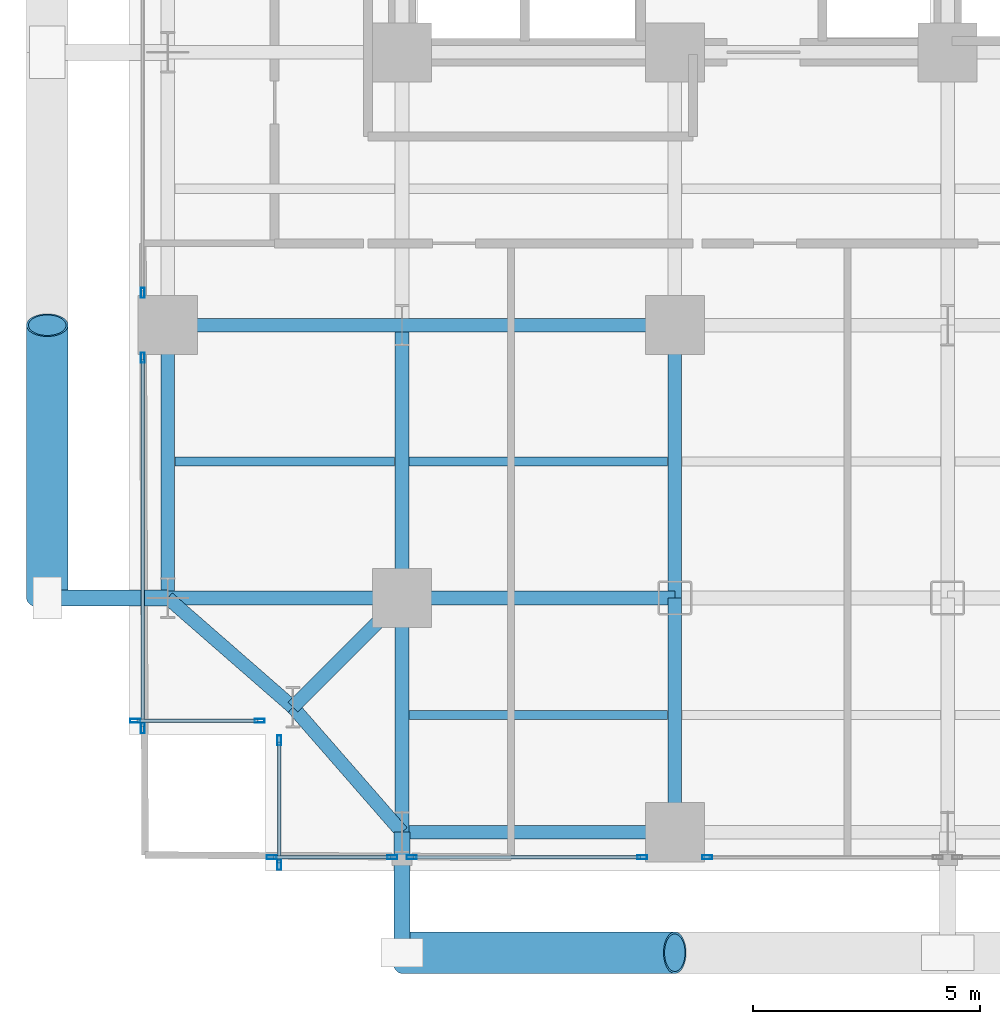
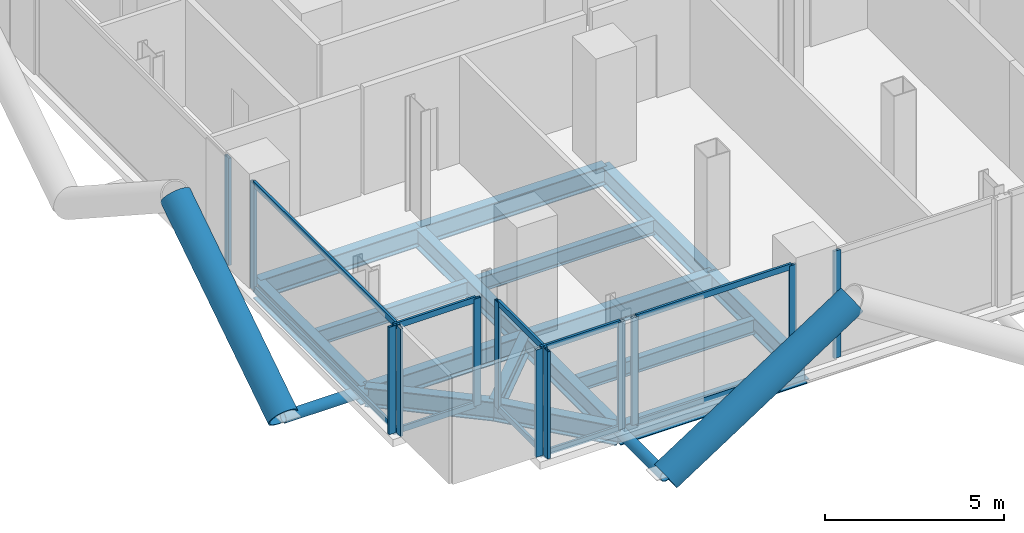
# One storey, part 2 of 27: 26 members, 16 beams, 7 elements without a shape of their own.
"""IFC4 building model written with IfcOpenShell, lengths in metres."""

from ifc_helpers import new_model, si_unit, direction, frame, origin, origin_2d, place, context, subcontext, project, spatial, hollow_rectangle, hollow_circle, i_section, extrude, material, layer, layer_set, material_profile, profile_set, type_object, element, aggregate, save


model = new_model("IFC4")

# Units and contexts
model_context = context("Model", 3, precision=1e-05, world=origin(), true_north=direction((0.0, 1.0)))
body_context = subcontext(model_context, "Body", "Model", "MODEL_VIEW")
ifc_project = project(units=[si_unit("LENGTHUNIT", "METRE"), si_unit("AREAUNIT", "SQUARE_METRE"), si_unit("VOLUMEUNIT", "CUBIC_METRE"), si_unit("PLANEANGLEUNIT", "RADIAN"), si_unit("MASSUNIT", "GRAM", prefix="KILO"), si_unit("THERMODYNAMICTEMPERATUREUNIT", "KELVIN"), si_unit("POWERUNIT", "WATT")], contexts=[model_context])

# Site, building, storey
site_placement = place(None, origin())
site = spatial("IfcSite", under=ifc_project, at=site_placement, CompositionType="ELEMENT")
building_placement = place(site_placement, origin())
building = spatial("IfcBuilding", under=site, at=building_placement, Name="Svarakhadi Broadcast Tower", CompositionType="ELEMENT")
storey_placement = place(building_placement, frame((0.0, 0.0, 55.800048828125)))
storey = spatial("IfcBuildingStorey", under=building, at=storey_placement, Name="L12", CompositionType="ELEMENT", Elevation=55.800048828125)

# Beams
ifc_material_1 = material(Name="Steel S355J2 (IS 2062 E350C)", Category="steel")
ifc_material_profile_1 = material_profile(ifc_material_1, i_section(OverallWidth=0.199951171875, OverallDepth=0.5, WebThickness=0.01025390625, FlangeThickness=0.01611328125, FilletRadius=0.02099609375, at=origin_2d()), Name="NPB 500x200x91")
ifc_profile_set_1 = profile_set([ifc_material_profile_1], Name="Steel S355J2 (IS 2062 E350C)")
beam_type_1 = type_object("IfcBeamType", Name="Beam_NPB500", PredefinedType="BEAM", material=ifc_profile_set_1)
beam_1_placement = place(storey_placement, frame((1.010009765625, 9.0, -0.5), z_axis=(1.0, 0.0, 0.0), x_axis=(0.0, 1.0, 0.0)))
element("IfcBeam", 1, at=beam_1_placement, inside=storey, type_object=beam_type_1, Name="L12 Secondary Composite Beam SB001", PredefinedType="BEAM", context=body_context, shape_type="SweptSolid", body=[
    extrude(i_section(OverallWidth=0.199951171875, OverallDepth=0.5, WebThickness=0.01025390625, FlangeThickness=0.01611328125, FilletRadius=0.02099609375, at=origin_2d()), origin(), (0.0, 0.0, 1.0), 4.830078125),
])
for number, where, z_axis, x_axis, name in (
    (2, (6.159912109375, 3.425048828125, -0.5), (1.0, 0.0, 0.0), (0.0, 1.0, 0.0), "L12 Secondary Composite Beam SB007"),
    (3, (6.159912109375, 9.0, -0.5), (1.0, 0.0, 0.0), (0.0, 1.0, 0.0), "L12 Secondary Composite Beam SB008"),
):
    element("IfcBeam", number, at=place(storey_placement, frame(where, z_axis=z_axis, x_axis=x_axis)), inside=storey, type_object=beam_type_1, Name=name, PredefinedType="BEAM", context=body_context, shape_type="SweptSolid", body=[
        extrude(i_section(OverallWidth=0.199951171875, OverallDepth=0.5, WebThickness=0.01025390625, FlangeThickness=0.01611328125, FilletRadius=0.02099609375, at=origin_2d()), origin(), (0.0, 0.0, 1.0), 5.68017578125),
    ])

# Curtain wall, members
ifc_material_2 = material(Name="Anodised Bronze Aluminium AA 6063-T6", Category="aluminium")
ifc_layer = layer(ifc_material_2, 0.219970703125)
ifc_layer_set = layer_set([ifc_layer], Name="Anodised Bronze Aluminium AA 6063-T6")
curtain_wall_type = type_object("IfcCurtainWallType", Name="CW_Sys_02", PredefinedType="NOTDEFINED", material=ifc_layer_set)
curtain_wall_1_placement = place(storey_placement, origin())
curtain_wall_1 = element("IfcCurtainWall", 4, at=curtain_wall_1_placement, inside=storey, type_object=curtain_wall_type, Name="L12 Unitised Facade Curtain Wall 01", PredefinedType="NOTDEFINED")
ifc_material_profile_2 = material_profile(ifc_material_2, hollow_rectangle(XDim=0.0849609375, YDim=0.219970703125, WallThickness=0.006103515625, at=origin_2d()), Name="ALU MULLION 220x85x6")
ifc_profile_set_2 = profile_set([ifc_material_profile_2], Name="Anodised Bronze Aluminium AA 6063-T6")
member_type_1 = type_object("IfcMemberType", Name="CW_Sys_02_Mul", PredefinedType="MULLION", material=ifc_profile_set_2)
member_1_placement = place(storey_placement, frame((2.867431640625, 3.300048828125, 0.0), z_axis=(0.0, 0.0, 1.0), x_axis=(0.0, -1.0, 0.0)))
member_1 = element("IfcMember", 5, at=member_1_placement, type_object=member_type_1, Name="CW-02 mullion 1", PredefinedType="MULLION", context=body_context, shape_type="SweptSolid", body=[
    extrude(hollow_rectangle(XDim=0.0849609375, YDim=0.219970703125, WallThickness=0.006103515625, at=origin_2d()), origin(), (0.0, 0.0, 1.0), 3.64990234375),
])
member_2_placement = place(storey_placement, frame((0.132568359375, 3.300048828125, 0.0), z_axis=(0.0, 0.0, 1.0), x_axis=(0.0, -1.0, 0.0)))
member_2 = element("IfcMember", 6, at=member_2_placement, type_object=member_type_1, Name="CW-02 mullion 2", PredefinedType="MULLION", context=body_context, shape_type="SweptSolid", body=[
    extrude(hollow_rectangle(XDim=0.0849609375, YDim=0.219970703125, WallThickness=0.006103515625, at=origin_2d()), origin(), (0.0, 0.0, 1.0), 3.64990234375),
])

curtain_wall_2_placement = place(storey_placement, origin())
curtain_wall_2 = element("IfcCurtainWall", 7, at=curtain_wall_2_placement, inside=storey, type_object=curtain_wall_type, Name="L12 West Curtain Wall 02 Bay 1", PredefinedType="NOTDEFINED")
member_3_placement = place(storey_placement, frame((0.300048828125, 3.132568359375, 0.0), z_axis=(0.0, 0.0, 1.0), x_axis=(-1.0, 0.0, 0.0)))
member_3 = element("IfcMember", 8, at=member_3_placement, type_object=member_type_1, Name="CW-02 mullion 1", PredefinedType="MULLION", context=body_context, shape_type="SweptSolid", body=[
    extrude(hollow_rectangle(XDim=0.0849609375, YDim=0.219970703125, WallThickness=0.006103515625, at=origin_2d()), origin(), (0.0, 0.0, 1.0), 3.64990234375),
])
member_4_placement = place(storey_placement, frame((0.300048828125, 11.28759765625, 0.0), z_axis=(0.0, 0.0, 1.0), x_axis=(-1.0, 0.0, 0.0)))
member_4 = element("IfcMember", 9, at=member_4_placement, type_object=member_type_1, Name="CW-02 mullion 2", PredefinedType="MULLION", context=body_context, shape_type="SweptSolid", body=[
    extrude(hollow_rectangle(XDim=0.0849609375, YDim=0.219970703125, WallThickness=0.006103515625, at=origin_2d()), origin(), (0.0, 0.0, 1.0), 3.64990234375),
])

# Curtain wall, member
curtain_wall_3_placement = place(storey_placement, origin())
curtain_wall_3 = element("IfcCurtainWall", 10, at=curtain_wall_3_placement, inside=storey, type_object=curtain_wall_type, Name="L12 West Curtain Wall 02 Bay 2", PredefinedType="NOTDEFINED")
member_5_placement = place(storey_placement, frame((0.300048828125, 12.71240234375, 0.0), z_axis=(0.0, 0.0, 1.0), x_axis=(-1.0, 0.0, 0.0)))
member_5 = element("IfcMember", 11, at=member_5_placement, type_object=member_type_1, Name="CW-02 mullion 1", PredefinedType="MULLION", context=body_context, shape_type="SweptSolid", body=[
    extrude(hollow_rectangle(XDim=0.0849609375, YDim=0.219970703125, WallThickness=0.006103515625, at=origin_2d()), origin(), (0.0, 0.0, 1.0), 3.64990234375),
])
aggregate(curtain_wall_3, [member_5])

curtain_wall_4_placement = place(storey_placement, origin())
curtain_wall_4 = element("IfcCurtainWall", 12, at=curtain_wall_4_placement, inside=storey, type_object=curtain_wall_type, Name="L12 South Curtain Wall 17 Bay 5", PredefinedType="NOTDEFINED")
member_6_placement = place(storey_placement, frame((12.71240234375, 0.300048828125, 0.0), z_axis=(0.0, 0.0, 1.0), x_axis=(0.0, -1.0, 0.0)))
member_6 = element("IfcMember", 13, at=member_6_placement, type_object=member_type_1, Name="CW-02 mullion 2", PredefinedType="MULLION", context=body_context, shape_type="SweptSolid", body=[
    extrude(hollow_rectangle(XDim=0.0849609375, YDim=0.219970703125, WallThickness=0.006103515625, at=origin_2d()), origin(), (0.0, 0.0, 1.0), 3.64990234375),
])
aggregate(curtain_wall_4, [member_6])

# Curtain wall, members
curtain_wall_5_placement = place(storey_placement, origin())
curtain_wall_5 = element("IfcCurtainWall", 14, at=curtain_wall_5_placement, inside=storey, type_object=curtain_wall_type, Name="L12 South Curtain Wall 17 Bay 6", PredefinedType="NOTDEFINED")
member_7_placement = place(storey_placement, frame((11.28759765625, 0.300048828125, 0.0), z_axis=(0.0, 0.0, 1.0), x_axis=(0.0, -1.0, 0.0)))
member_7 = element("IfcMember", 15, at=member_7_placement, type_object=member_type_1, Name="CW-02 mullion 1", PredefinedType="MULLION", context=body_context, shape_type="SweptSolid", body=[
    extrude(hollow_rectangle(XDim=0.0849609375, YDim=0.219970703125, WallThickness=0.006103515625, at=origin_2d()), origin(), (0.0, 0.0, 1.0), 3.64990234375),
])
member_8_placement = place(storey_placement, frame((6.21240234375, 0.300048828125, 0.0), z_axis=(0.0, 0.0, 1.0), x_axis=(0.0, -1.0, 0.0)))
member_8 = element("IfcMember", 16, at=member_8_placement, type_object=member_type_1, Name="CW-02 mullion 2", PredefinedType="MULLION", context=body_context, shape_type="SweptSolid", body=[
    extrude(hollow_rectangle(XDim=0.0849609375, YDim=0.219970703125, WallThickness=0.006103515625, at=origin_2d()), origin(), (0.0, 0.0, 1.0), 3.64990234375),
])

curtain_wall_6_placement = place(storey_placement, origin())
curtain_wall_6 = element("IfcCurtainWall", 17, at=curtain_wall_6_placement, inside=storey, type_object=curtain_wall_type, Name="L12 South Curtain Wall 17 Bay 7", PredefinedType="NOTDEFINED")
member_9_placement = place(storey_placement, frame((5.78759765625, 0.300048828125, 0.0), z_axis=(0.0, 0.0, 1.0), x_axis=(0.0, -1.0, 0.0)))
member_9 = element("IfcMember", 18, at=member_9_placement, type_object=member_type_1, Name="CW-02 mullion 1", PredefinedType="MULLION", context=body_context, shape_type="SweptSolid", body=[
    extrude(hollow_rectangle(XDim=0.0849609375, YDim=0.219970703125, WallThickness=0.006103515625, at=origin_2d()), origin(), (0.0, 0.0, 1.0), 3.64990234375),
])
member_10_placement = place(storey_placement, frame((3.132568359375, 0.300048828125, 0.0), z_axis=(0.0, 0.0, 1.0), x_axis=(0.0, -1.0, 0.0)))
member_10 = element("IfcMember", 19, at=member_10_placement, type_object=member_type_1, Name="CW-02 mullion 2", PredefinedType="MULLION", context=body_context, shape_type="SweptSolid", body=[
    extrude(hollow_rectangle(XDim=0.0849609375, YDim=0.219970703125, WallThickness=0.006103515625, at=origin_2d()), origin(), (0.0, 0.0, 1.0), 3.64990234375),
])

curtain_wall_7_placement = place(storey_placement, origin())
curtain_wall_7 = element("IfcCurtainWall", 20, at=curtain_wall_7_placement, inside=storey, type_object=curtain_wall_type, Name="L12 Unitised Facade Curtain Wall 18", PredefinedType="NOTDEFINED")
member_11_placement = place(storey_placement, frame((3.300048828125, 0.132568359375, 0.0), z_axis=(0.0, 0.0, 1.0), x_axis=(-1.0, 0.0, 0.0)))
member_11 = element("IfcMember", 21, at=member_11_placement, type_object=member_type_1, Name="CW-02 mullion 1", PredefinedType="MULLION", context=body_context, shape_type="SweptSolid", body=[
    extrude(hollow_rectangle(XDim=0.0849609375, YDim=0.219970703125, WallThickness=0.006103515625, at=origin_2d()), origin(), (0.0, 0.0, 1.0), 3.64990234375),
])
member_12_placement = place(storey_placement, frame((3.300048828125, 2.867431640625, 0.0), z_axis=(0.0, 0.0, 1.0), x_axis=(-1.0, 0.0, 0.0)))
member_12 = element("IfcMember", 22, at=member_12_placement, type_object=member_type_1, Name="CW-02 mullion 2", PredefinedType="MULLION", context=body_context, shape_type="SweptSolid", body=[
    extrude(hollow_rectangle(XDim=0.0849609375, YDim=0.219970703125, WallThickness=0.006103515625, at=origin_2d()), origin(), (0.0, 0.0, 1.0), 3.64990234375),
])

# Member
ifc_material_profile_3 = material_profile(ifc_material_2, hollow_rectangle(XDim=0.074951171875, YDim=0.199951171875, WallThickness=0.0048828125, at=origin_2d()), Name="ALU TRANSOM 200x75x5")
ifc_profile_set_3 = profile_set([ifc_material_profile_3], Name="Anodised Bronze Aluminium AA 6063-T6")
member_type_2 = type_object("IfcMemberType", Name="CW_Sys_02_Trn", PredefinedType="USERDEFINED", material=ifc_profile_set_3)
member_13_placement = place(storey_placement, frame((2.824951171875, 3.300048828125, 0.037353515625), z_axis=(-1.0, 0.0, 0.0), x_axis=(0.0, -1.0, 0.0)))
member_13 = element("IfcMember", 23, at=member_13_placement, type_object=member_type_2, Name="CW-02 transom 1.1", ObjectType="TRANSOM", PredefinedType="USERDEFINED", context=body_context, shape_type="SweptSolid", body=[
    extrude(hollow_rectangle(XDim=0.074951171875, YDim=0.199951171875, WallThickness=0.0048828125, at=origin_2d()), origin(), (0.0, 0.0, 1.0), 2.64990234375),
])

member_14_placement = place(storey_placement, frame((2.824951171875, 3.300048828125, 3.612548828125), z_axis=(-1.0, 0.0, 0.0), x_axis=(0.0, -1.0, 0.0)))
member_14 = element("IfcMember", 24, at=member_14_placement, type_object=member_type_2, Name="CW-02 transom 1.2", ObjectType="TRANSOM", PredefinedType="USERDEFINED", context=body_context, shape_type="SweptSolid", body=[
    extrude(hollow_rectangle(XDim=0.074951171875, YDim=0.199951171875, WallThickness=0.0048828125, at=origin_2d()), origin(), (0.0, 0.0, 1.0), 2.64990234375),
])

aggregate(curtain_wall_1, [member_1, member_2, member_13, member_14])

member_15_placement = place(storey_placement, frame((0.300048828125, 3.175048828125, 0.037353515625), z_axis=(0.0, 1.0, 0.0), x_axis=(-1.0, 0.0, 0.0)))
member_15 = element("IfcMember", 25, at=member_15_placement, type_object=member_type_2, Name="CW-02 transom 1.1", ObjectType="TRANSOM", PredefinedType="USERDEFINED", context=body_context, shape_type="SweptSolid", body=[
    extrude(hollow_rectangle(XDim=0.074951171875, YDim=0.199951171875, WallThickness=0.0048828125, at=origin_2d()), origin(), (0.0, 0.0, 1.0), 8.070068359375),
])

member_16_placement = place(storey_placement, frame((0.300048828125, 3.175048828125, 3.612548828125), z_axis=(0.0, 1.0, 0.0), x_axis=(-1.0, 0.0, 0.0)))
member_16 = element("IfcMember", 26, at=member_16_placement, type_object=member_type_2, Name="CW-02 transom 1.2", ObjectType="TRANSOM", PredefinedType="USERDEFINED", context=body_context, shape_type="SweptSolid", body=[
    extrude(hollow_rectangle(XDim=0.074951171875, YDim=0.199951171875, WallThickness=0.0048828125, at=origin_2d()), origin(), (0.0, 0.0, 1.0), 8.070068359375),
])

aggregate(curtain_wall_2, [member_3, member_4, member_15, member_16])

member_17_placement = place(storey_placement, frame((11.2451171875, 0.300048828125, 0.037353515625), z_axis=(-1.0, 0.0, 0.0), x_axis=(0.0, -1.0, 0.0)))
member_17 = element("IfcMember", 27, at=member_17_placement, type_object=member_type_2, Name="CW-02 transom 1.1", ObjectType="TRANSOM", PredefinedType="USERDEFINED", context=body_context, shape_type="SweptSolid", body=[
    extrude(hollow_rectangle(XDim=0.074951171875, YDim=0.199951171875, WallThickness=0.0048828125, at=origin_2d()), origin(), (0.0, 0.0, 1.0), 4.990234375),
])

member_18_placement = place(storey_placement, frame((11.2451171875, 0.300048828125, 3.612548828125), z_axis=(-1.0, 0.0, 0.0), x_axis=(0.0, -1.0, 0.0)))
member_18 = element("IfcMember", 28, at=member_18_placement, type_object=member_type_2, Name="CW-02 transom 1.2", ObjectType="TRANSOM", PredefinedType="USERDEFINED", context=body_context, shape_type="SweptSolid", body=[
    extrude(hollow_rectangle(XDim=0.074951171875, YDim=0.199951171875, WallThickness=0.0048828125, at=origin_2d()), origin(), (0.0, 0.0, 1.0), 4.990234375),
])

aggregate(curtain_wall_5, [member_7, member_8, member_17, member_18])

member_19_placement = place(storey_placement, frame((5.7451171875, 0.300048828125, 0.037353515625), z_axis=(-1.0, 0.0, 0.0), x_axis=(0.0, -1.0, 0.0)))
member_19 = element("IfcMember", 29, at=member_19_placement, type_object=member_type_2, Name="CW-02 transom 1.1", ObjectType="TRANSOM", PredefinedType="USERDEFINED", context=body_context, shape_type="SweptSolid", body=[
    extrude(hollow_rectangle(XDim=0.074951171875, YDim=0.199951171875, WallThickness=0.0048828125, at=origin_2d()), origin(), (0.0, 0.0, 1.0), 2.570068359375),
])

member_20_placement = place(storey_placement, frame((5.7451171875, 0.300048828125, 3.612548828125), z_axis=(-1.0, 0.0, 0.0), x_axis=(0.0, -1.0, 0.0)))
member_20 = element("IfcMember", 30, at=member_20_placement, type_object=member_type_2, Name="CW-02 transom 1.2", ObjectType="TRANSOM", PredefinedType="USERDEFINED", context=body_context, shape_type="SweptSolid", body=[
    extrude(hollow_rectangle(XDim=0.074951171875, YDim=0.199951171875, WallThickness=0.0048828125, at=origin_2d()), origin(), (0.0, 0.0, 1.0), 2.570068359375),
])

aggregate(curtain_wall_6, [member_9, member_10, member_19, member_20])

member_21_placement = place(storey_placement, frame((3.300048828125, 0.175048828125, 0.037353515625), z_axis=(0.0, 1.0, 0.0), x_axis=(-1.0, 0.0, 0.0)))
member_21 = element("IfcMember", 31, at=member_21_placement, type_object=member_type_2, Name="CW-02 transom 1.1", ObjectType="TRANSOM", PredefinedType="USERDEFINED", context=body_context, shape_type="SweptSolid", body=[
    extrude(hollow_rectangle(XDim=0.074951171875, YDim=0.199951171875, WallThickness=0.0048828125, at=origin_2d()), origin(), (0.0, 0.0, 1.0), 2.64990234375),
])

member_22_placement = place(storey_placement, frame((3.300048828125, 0.175048828125, 3.612548828125), z_axis=(0.0, 1.0, 0.0), x_axis=(-1.0, 0.0, 0.0)))
member_22 = element("IfcMember", 32, at=member_22_placement, type_object=member_type_2, Name="CW-02 transom 1.2", ObjectType="TRANSOM", PredefinedType="USERDEFINED", context=body_context, shape_type="SweptSolid", body=[
    extrude(hollow_rectangle(XDim=0.074951171875, YDim=0.199951171875, WallThickness=0.0048828125, at=origin_2d()), origin(), (0.0, 0.0, 1.0), 2.64990234375),
])

aggregate(curtain_wall_7, [member_11, member_12, member_21, member_22])

# Members
ifc_material_3 = material(Name="Steel S460ML (IS 2062 E450BR)", Category="steel")
ifc_material_profile_4 = material_profile(ifc_material_3, hollow_circle(Radius=0.45703125, WallThickness=0.044921875, at=origin_2d()), Name="CHS 914x45")
ifc_profile_set_4 = profile_set([ifc_material_profile_4], Name="Steel S460ML (IS 2062 E450BR)")
member_type_3 = type_object("IfcMemberType", Name="Exo_Brace_CHS914", PredefinedType="BRACE", material=ifc_profile_set_4)
for number, where, z_axis, x_axis, name in (
    (33, (6.0, -1.800048828125, -0.427734375), (0.838449851971, 0.0, 0.544978757136), (0.0, 1.0, 0.0), "L12 Exposed Bronze Exoskeleton Diagonal S01"),
    (34, (-1.800048828125, 6.0, -0.427734375), (0.0, 0.838449851971, 0.544978757136), (-1.0, 0.0, 0.0), "L12 Exposed Bronze Exoskeleton Diagonal W06"),
):
    element("IfcMember", number, at=place(storey_placement, frame(where, z_axis=z_axis, x_axis=x_axis)), inside=storey, type_object=member_type_3, Name=name, PredefinedType="BRACE", context=body_context, shape_type="SweptSolid", body=[
        extrude(hollow_circle(Radius=0.45703125, WallThickness=0.044921875, at=origin_2d()), origin(), (0.0, 0.0, 1.0), 7.156005859375),
    ])
ifc_material_profile_5 = material_profile(ifc_material_3, hollow_circle(Radius=0.177734375, WallThickness=0.02001953125, at=origin_2d()), Name="CHS 355.6x20")
ifc_profile_set_5 = profile_set([ifc_material_profile_5], Name="Steel S460ML (IS 2062 E450BR)")
member_type_4 = type_object("IfcMemberType", Name="Exo_Radial_Strut_Z1", PredefinedType="STRUT", material=ifc_profile_set_5)
for number, where, z_axis, x_axis, name in (
    (35, (6.0, -1.800048828125, -0.427734375), (0.0, 1.0, 0.0), (-1.0, 0.0, 0.0), "L12 Exoskeleton Radial Tie Strut S01"),
    (36, (-1.800048828125, 6.0, -0.427734375), (1.0, 0.0, 0.0), (0.0, 1.0, 0.0), "L12 Exoskeleton Radial Tie Strut W05"),
):
    element("IfcMember", number, at=place(storey_placement, frame(where, z_axis=z_axis, x_axis=x_axis)), inside=storey, type_object=member_type_4, Name=name, PredefinedType="STRUT", context=body_context, shape_type="SweptSolid", body=[
        extrude(hollow_circle(Radius=0.177734375, WallThickness=0.02001953125, at=origin_2d()), origin(), (0.0, 0.0, 1.0), 2.650146484375),
    ])

# Beams
ifc_material_profile_6 = material_profile(ifc_material_1, i_section(OverallWidth=0.300048828125, OverallDepth=0.64990234375, WebThickness=0.01611328125, FlangeThickness=0.031005859375, FilletRadius=0.027099609375, at=origin_2d()), Name="WPB 650x300x225")
ifc_profile_set_6 = profile_set([ifc_material_profile_6], Name="Steel S355J2 (IS 2062 E350C)")
beam_type_2 = type_object("IfcBeamType", Name="Girder_WPB650", PredefinedType="USERDEFINED", material=ifc_profile_set_6)
beam_2_placement = place(storey_placement, frame((3.60009765625, 3.60009765625, -0.574951171875), z_axis=(0.707106781187, 0.707106781187, 0.0), x_axis=(-0.707106781187, 0.707106781187, 0.0)))
element("IfcBeam", 37, at=beam_2_placement, inside=storey, type_object=beam_type_2, Name="L12 Corner Tie Girder G001", ObjectType="GIRDER", PredefinedType="USERDEFINED", context=body_context, shape_type="SweptSolid", body=[
    extrude(i_section(OverallWidth=0.300048828125, OverallDepth=0.64990234375, WebThickness=0.01611328125, FlangeThickness=0.031005859375, FilletRadius=0.027099609375, at=origin_2d()), origin(), (0.0, 0.0, 1.0), 3.39404296875),
])
for number, where, z_axis, x_axis, name in (
    (38, (3.60009765625, 3.60009765625, -0.574951171875), (-0.753437912176, 0.657519058655, 0.0), (-0.657519058655, -0.753437912176, 0.0), "L12 Corner Tie Girder G002"),
    (39, (3.60009765625, 3.60009765625, -0.574951171875), (0.657519058655, -0.753437912176, 0.0), (0.753437912176, 0.657519058655, 0.0), "L12 Corner Tie Girder G003"),
):
    element("IfcBeam", number, at=place(storey_placement, frame(where, z_axis=z_axis, x_axis=x_axis)), inside=storey, type_object=beam_type_2, Name=name, ObjectType="GIRDER", PredefinedType="USERDEFINED", context=body_context, shape_type="SweptSolid", body=[
        extrude(i_section(OverallWidth=0.300048828125, OverallDepth=0.64990234375, WebThickness=0.01611328125, FlangeThickness=0.031005859375, FilletRadius=0.027099609375, at=origin_2d()), origin(), (0.0, 0.0, 1.0), 3.64990234375),
    ])
beam_3_placement = place(storey_placement, frame((6.0, 0.85009765625, -0.574951171875), z_axis=(1.0, 0.0, 0.0), x_axis=(0.0, 1.0, 0.0)))
element("IfcBeam", 40, at=beam_3_placement, inside=storey, type_object=beam_type_2, Name="L12 Primary E-W Girder G004", ObjectType="GIRDER", PredefinedType="USERDEFINED", context=body_context, shape_type="SweptSolid", body=[
    extrude(i_section(OverallWidth=0.300048828125, OverallDepth=0.64990234375, WebThickness=0.01611328125, FlangeThickness=0.031005859375, FilletRadius=0.027099609375, at=origin_2d()), origin(), (0.0, 0.0, 1.0), 6.0),
])
beam_4_placement = place(storey_placement, frame((0.85009765625, 6.0, -0.574951171875), z_axis=(1.0, 0.0, 0.0), x_axis=(0.0, 1.0, 0.0)))
element("IfcBeam", 41, at=beam_4_placement, inside=storey, type_object=beam_type_2, Name="L12 Primary E-W Girder G011", ObjectType="GIRDER", PredefinedType="USERDEFINED", context=body_context, shape_type="SweptSolid", body=[
    extrude(i_section(OverallWidth=0.300048828125, OverallDepth=0.64990234375, WebThickness=0.01611328125, FlangeThickness=0.031005859375, FilletRadius=0.027099609375, at=origin_2d()), origin(), (0.0, 0.0, 1.0), 5.14990234375),
])
beam_5_placement = place(storey_placement, frame((6.0, 6.0, -0.574951171875), z_axis=(1.0, 0.0, 0.0), x_axis=(0.0, 1.0, 0.0)))
element("IfcBeam", 42, at=beam_5_placement, inside=storey, type_object=beam_type_2, Name="L12 Primary E-W Girder G012", ObjectType="GIRDER", PredefinedType="USERDEFINED", context=body_context, shape_type="SweptSolid", body=[
    extrude(i_section(OverallWidth=0.300048828125, OverallDepth=0.64990234375, WebThickness=0.01611328125, FlangeThickness=0.031005859375, FilletRadius=0.027099609375, at=origin_2d()), origin(), (0.0, 0.0, 1.0), 6.0),
])
beam_6_placement = place(storey_placement, frame((0.85009765625, 12.0, -0.574951171875), z_axis=(1.0, 0.0, 0.0), x_axis=(0.0, 1.0, 0.0)))
element("IfcBeam", 43, at=beam_6_placement, inside=storey, type_object=beam_type_2, Name="L12 Primary E-W Girder G019", ObjectType="GIRDER", PredefinedType="USERDEFINED", context=body_context, shape_type="SweptSolid", body=[
    extrude(i_section(OverallWidth=0.300048828125, OverallDepth=0.64990234375, WebThickness=0.01611328125, FlangeThickness=0.031005859375, FilletRadius=0.027099609375, at=origin_2d()), origin(), (0.0, 0.0, 1.0), 5.14990234375),
])
for number, where, z_axis, x_axis, name in (
    (44, (6.0, 12.0, -0.574951171875), (1.0, 0.0, 0.0), (0.0, 1.0, 0.0), "L12 Primary E-W Girder G020"),
    (45, (0.85009765625, 6.0, -0.574951171875), (0.0, 1.0, 0.0), (-1.0, 0.0, 0.0), "L12 Primary N-S Girder G045"),
):
    element("IfcBeam", number, at=place(storey_placement, frame(where, z_axis=z_axis, x_axis=x_axis)), inside=storey, type_object=beam_type_2, Name=name, ObjectType="GIRDER", PredefinedType="USERDEFINED", context=body_context, shape_type="SweptSolid", body=[
        extrude(i_section(OverallWidth=0.300048828125, OverallDepth=0.64990234375, WebThickness=0.01611328125, FlangeThickness=0.031005859375, FilletRadius=0.027099609375, at=origin_2d()), origin(), (0.0, 0.0, 1.0), 6.0),
    ])
beam_7_placement = place(storey_placement, frame((6.0, 0.85009765625, -0.574951171875), z_axis=(0.0, 1.0, 0.0), x_axis=(-1.0, 0.0, 0.0)))
element("IfcBeam", 46, at=beam_7_placement, inside=storey, type_object=beam_type_2, Name="L12 Primary N-S Girder G051", ObjectType="GIRDER", PredefinedType="USERDEFINED", context=body_context, shape_type="SweptSolid", body=[
    extrude(i_section(OverallWidth=0.300048828125, OverallDepth=0.64990234375, WebThickness=0.01611328125, FlangeThickness=0.031005859375, FilletRadius=0.027099609375, at=origin_2d()), origin(), (0.0, 0.0, 1.0), 5.14990234375),
])
beam_8_placement = place(storey_placement, frame((6.0, 6.0, -0.574951171875), z_axis=(0.0, 1.0, 0.0), x_axis=(-1.0, 0.0, 0.0)))
element("IfcBeam", 47, at=beam_8_placement, inside=storey, type_object=beam_type_2, Name="L12 Primary N-S Girder G052", ObjectType="GIRDER", PredefinedType="USERDEFINED", context=body_context, shape_type="SweptSolid", body=[
    extrude(i_section(OverallWidth=0.300048828125, OverallDepth=0.64990234375, WebThickness=0.01611328125, FlangeThickness=0.031005859375, FilletRadius=0.027099609375, at=origin_2d()), origin(), (0.0, 0.0, 1.0), 6.0),
])
beam_9_placement = place(storey_placement, frame((12.0, 0.85009765625, -0.574951171875), z_axis=(0.0, 1.0, 0.0), x_axis=(-1.0, 0.0, 0.0)))
element("IfcBeam", 48, at=beam_9_placement, inside=storey, type_object=beam_type_2, Name="L12 Primary N-S Girder G058", ObjectType="GIRDER", PredefinedType="USERDEFINED", context=body_context, shape_type="SweptSolid", body=[
    extrude(i_section(OverallWidth=0.300048828125, OverallDepth=0.64990234375, WebThickness=0.01611328125, FlangeThickness=0.031005859375, FilletRadius=0.027099609375, at=origin_2d()), origin(), (0.0, 0.0, 1.0), 5.14990234375),
])
beam_10_placement = place(storey_placement, frame((12.0, 6.0, -0.574951171875), z_axis=(0.0, 1.0, 0.0), x_axis=(-1.0, 0.0, 0.0)))
element("IfcBeam", 49, at=beam_10_placement, inside=storey, type_object=beam_type_2, Name="L12 Primary N-S Girder G059", ObjectType="GIRDER", PredefinedType="USERDEFINED", context=body_context, shape_type="SweptSolid", body=[
    extrude(i_section(OverallWidth=0.300048828125, OverallDepth=0.64990234375, WebThickness=0.01611328125, FlangeThickness=0.031005859375, FilletRadius=0.027099609375, at=origin_2d()), origin(), (0.0, 0.0, 1.0), 6.0),
])

save(model, "model.ifc")
